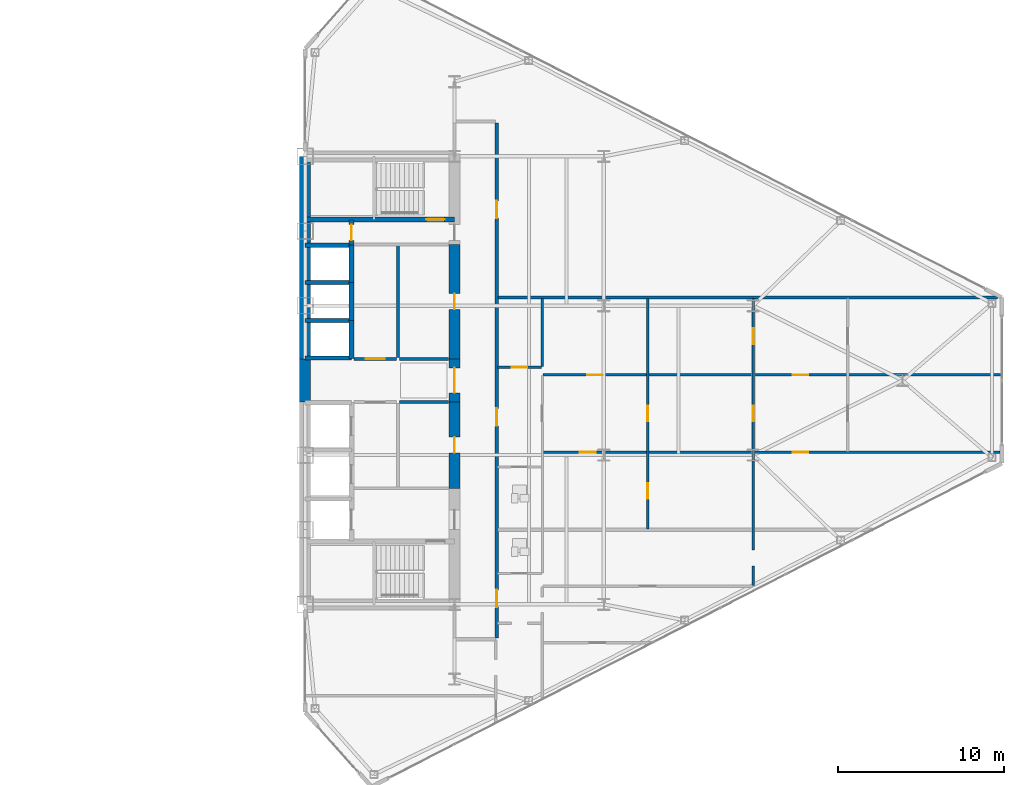
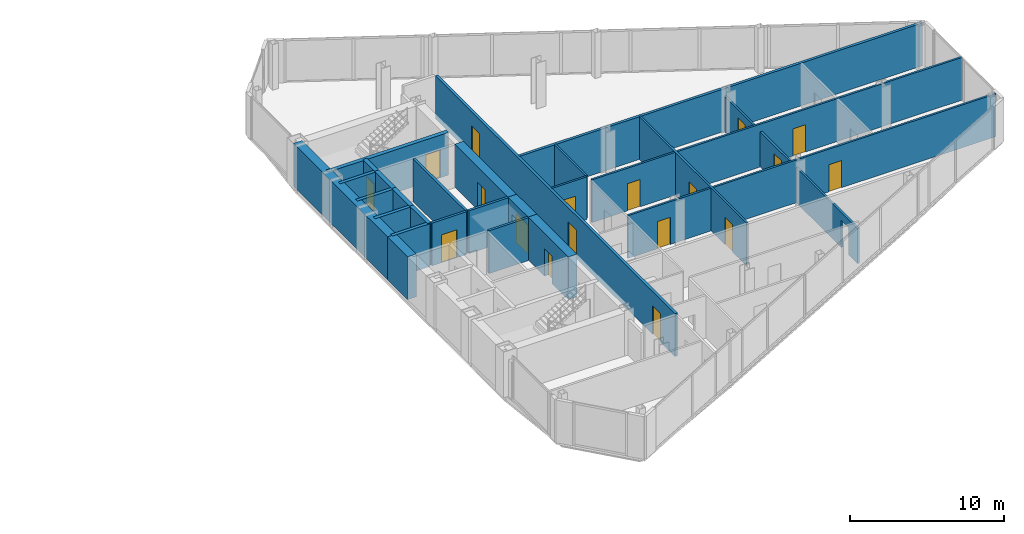
# One storey, part 19 of 23: 26 walls, 18 doors, 19 openings.
"""IFC4 building model written with IfcOpenShell, lengths in metres."""

from ifc_helpers import new_model, si_unit, direction, frame, frame_2d, origin, place, context, subcontext, project, spatial, rectangle, extrude, source, transform, mapped, material, layer, layer_set, type_object, type_shapes, element, fill, save


model = new_model("IFC4")

# Units and contexts
model_context = context("Model", 3, precision=1e-05, world=origin(), true_north=direction((0.0, 1.0)))
body_context = subcontext(model_context, "Body", "Model", "MODEL_VIEW")
ifc_project = project(units=[si_unit("LENGTHUNIT", "METRE"), si_unit("AREAUNIT", "SQUARE_METRE"), si_unit("VOLUMEUNIT", "CUBIC_METRE"), si_unit("PLANEANGLEUNIT", "RADIAN"), si_unit("MASSUNIT", "GRAM", prefix="KILO")], contexts=[model_context])

# Site, building, storey
site_placement = place(None, origin())
site = spatial("IfcSite", under=ifc_project, at=site_placement, CompositionType="ELEMENT")
building_placement = place(site_placement, origin())
building = spatial("IfcBuilding", under=site, at=building_placement, Name="Seokmaru Belvedere", CompositionType="ELEMENT")
storey_placement = place(building_placement, frame((0.0, 0.0, 128.39990234375)))
storey = spatial("IfcBuildingStorey", under=building, at=storey_placement, Name="L34", CompositionType="ELEMENT", Elevation=128.39990234375)

# Wall, openings, doors
ifc_material_1 = material(Name="Fire-Rated Gypsum Shaftwall")
ifc_layer_1 = layer(ifc_material_1, 0.14990234375)
ifc_layer_set_1 = layer_set([ifc_layer_1], Name="Fire-Rated Gypsum Shaftwall")
wall_type_1 = type_object("IfcWallType", Name="Apartment Fire-Acoustic Room Partition 150", PredefinedType="PARTITIONING", material=ifc_layer_set_1)
wall_1_placement = place(storey_placement, frame((41.85009765625, -4.330078125, 0.0), z_axis=(0.0, 0.0, 1.0), x_axis=(1.0, 0.0, 0.0)))
wall_1 = element("IfcWall", 1, at=wall_1_placement, inside=storey, type_object=wall_type_1, Name="L34 Interior Partition 012", PredefinedType="PARTITIONING", context=body_context, shape_type="SweptSolid", body=[
    extrude(rectangle(XDim=27.52490234375, YDim=0.14990234375, at=frame_2d((13.762451171875, 0.0))), origin(), (0.0, 0.0, 1.0), 3.380126953125),
])
opening_1_placement = place(wall_1_placement, frame((2.213623046875, 0.0, 0.0)))
opening_1 = element("IfcOpeningElement", 2, at=opening_1_placement, cuts=wall_1, Name="Opening D05", PredefinedType="OPENING", context=body_context, shape_type="SweptSolid", body=[
    extrude(rectangle(XDim=0.949951171875, YDim=2.14990234375, at=frame_2d((0.47509765625, 1.074951171875))), frame((0.0, 0.0849609375, 0.0), z_axis=(0.0, -1.0, 0.0), x_axis=(1.0, 0.0, 0.0)), (0.0, 0.0, 1.0), 0.169921875),
])
opening_2_placement = place(wall_1_placement, frame((15.02490234375, 0.0, 0.0)))
opening_2 = element("IfcOpeningElement", 3, at=opening_2_placement, cuts=wall_1, Name="Opening D05", PredefinedType="OPENING", context=body_context, shape_type="SweptSolid", body=[
    extrude(rectangle(XDim=0.949951171875, YDim=2.14990234375, at=frame_2d((0.47509765625, 1.074951171875))), frame((0.0, 0.0849609375, 0.0), z_axis=(0.0, -1.0, 0.0), x_axis=(1.0, 0.0, 0.0)), (0.0, 0.0, 1.0), 0.169921875),
])
ifc_material_2 = material(Name="Engineered White Oak Timber", Category="wood")
door_type_1 = type_object("IfcDoorType", Name="Apartment Interior Fire-Rated Oak Door 950x2150", OperationType="NOTDEFINED", PredefinedType="DOOR", material=ifc_material_2)
shared_shape_1 = source(origin(), body_context, "Body", "SweptSolid", [
    extrude(rectangle(XDim=0.949951171875, YDim=2.14990234375, at=frame_2d((0.47509765625, 1.074951171875))), frame((0.0, 0.02490234375, 0.0), z_axis=(0.0, -1.0, 0.0), x_axis=(1.0, 0.0, 0.0)), (0.0, 0.0, 1.0), 0.050048828125),
])
type_shapes(door_type_1, [shared_shape_1])
door_1_placement = place(opening_1_placement, origin())
door_1 = element("IfcDoor", 4, at=door_1_placement, inside=storey, type_object=door_type_1, Name="L34 Interior Door 028", OperationType="SINGLE_SWING_LEFT", OverallHeight=2.14990234375, OverallWidth=0.949951171875, PredefinedType="DOOR", context=body_context, shape_type="MappedRepresentation", body=[
    mapped(shared_shape_1, transform((0.0, 0.0, 0.0), scale=1.0)),
])
fill(opening_1, door_1)
door_2_placement = place(opening_2_placement, origin())
door_2 = element("IfcDoor", 5, at=door_2_placement, inside=storey, type_object=door_type_1, Name="L34 Interior Door 032", OperationType="SINGLE_SWING_RIGHT", OverallHeight=2.14990234375, OverallWidth=0.949951171875, PredefinedType="DOOR", context=body_context, shape_type="MappedRepresentation", body=[
    mapped(shared_shape_1, transform((0.0, 0.0, 0.0), scale=1.0)),
])
fill(opening_2, door_2)

wall_2_placement = place(storey_placement, frame((41.85009765625, 0.330078125, 0.0), z_axis=(0.0, 0.0, 1.0), x_axis=(1.0, 0.0, 0.0)))
wall_2 = element("IfcWall", 6, at=wall_2_placement, inside=storey, type_object=wall_type_1, Name="L34 Interior Partition 014", PredefinedType="PARTITIONING", context=body_context, shape_type="SweptSolid", body=[
    extrude(rectangle(XDim=27.684814453125, YDim=0.14990234375, at=frame_2d((13.84228515625, 0.0))), origin(), (0.0, 0.0, 1.0), 3.380126953125),
])
opening_3_placement = place(wall_2_placement, frame((2.64990234375, 0.0, 0.0)))
opening_3 = element("IfcOpeningElement", 7, at=opening_3_placement, cuts=wall_2, Name="Opening D05", PredefinedType="OPENING", context=body_context, shape_type="SweptSolid", body=[
    extrude(rectangle(XDim=0.949951171875, YDim=2.14990234375, at=frame_2d((0.47509765625, 1.074951171875))), frame((0.0, 0.0849609375, 0.0), z_axis=(0.0, -1.0, 0.0), x_axis=(1.0, 0.0, 0.0)), (0.0, 0.0, 1.0), 0.169921875),
])
opening_4_placement = place(wall_2_placement, frame((15.02490234375, 0.0, 0.0)))
opening_4 = element("IfcOpeningElement", 8, at=opening_4_placement, cuts=wall_2, Name="Opening D05", PredefinedType="OPENING", context=body_context, shape_type="SweptSolid", body=[
    extrude(rectangle(XDim=0.949951171875, YDim=2.14990234375, at=frame_2d((0.47509765625, 1.074951171875))), frame((0.0, 0.0849609375, 0.0), z_axis=(0.0, -1.0, 0.0), x_axis=(1.0, 0.0, 0.0)), (0.0, 0.0, 1.0), 0.169921875),
])
door_3_placement = place(opening_3_placement, origin())
door_3 = element("IfcDoor", 9, at=door_3_placement, inside=storey, type_object=door_type_1, Name="L34 Interior Door 030", OperationType="SINGLE_SWING_RIGHT", OverallHeight=2.14990234375, OverallWidth=0.949951171875, PredefinedType="DOOR", context=body_context, shape_type="MappedRepresentation", body=[
    mapped(shared_shape_1, transform((0.0, 0.0, 0.0), scale=1.0)),
])
fill(opening_3, door_3)
door_4_placement = place(opening_4_placement, origin())
door_4 = element("IfcDoor", 10, at=door_4_placement, inside=storey, type_object=door_type_1, Name="L34 Interior Door 034", OperationType="SINGLE_SWING_RIGHT", OverallHeight=2.14990234375, OverallWidth=0.949951171875, PredefinedType="DOOR", context=body_context, shape_type="MappedRepresentation", body=[
    mapped(shared_shape_1, transform((0.0, 0.0, 0.0), scale=1.0)),
])
fill(opening_4, door_4)

# Wall, opening, door
wall_3_placement = place(storey_placement, frame((39.10009765625, 0.800048828125, 0.0), z_axis=(0.0, 0.0, 1.0), x_axis=(1.0, 0.0, 0.0)))
wall_3 = element("IfcWall", 11, at=wall_3_placement, inside=storey, type_object=wall_type_1, Name="L34 Interior Partition 015", PredefinedType="PARTITIONING", context=body_context, shape_type="SweptSolid", body=[
    extrude(rectangle(XDim=2.64990234375, YDim=0.14990234375, at=frame_2d((1.324951171875, 0.0))), origin(), (0.0, 0.0, 1.0), 3.380126953125),
])
opening_5_placement = place(wall_3_placement, frame((0.85009765625, 0.0, 0.0)))
opening_5 = element("IfcOpeningElement", 12, at=opening_5_placement, cuts=wall_3, Name="Opening D05", PredefinedType="OPENING", context=body_context, shape_type="SweptSolid", body=[
    extrude(rectangle(XDim=0.949951171875, YDim=2.14990234375, at=frame_2d((0.47509765625, 1.074951171875))), frame((0.0, 0.0849609375, 0.0), z_axis=(0.0, -1.0, 0.0), x_axis=(1.0, 0.0, 0.0)), (0.0, 0.0, 1.0), 0.169921875),
])
door_5_placement = place(opening_5_placement, origin())
door_5 = element("IfcDoor", 13, at=door_5_placement, inside=storey, type_object=door_type_1, Name="L34 Interior Door 026", OperationType="SINGLE_SWING_RIGHT", OverallHeight=2.14990234375, OverallWidth=0.949951171875, PredefinedType="DOOR", context=body_context, shape_type="MappedRepresentation", body=[
    mapped(shared_shape_1, transform((0.0, 0.0, 0.0), scale=1.0)),
])
fill(opening_5, door_5)

# Wall
wall_4_placement = place(storey_placement, frame((41.800048828125, 0.85205078125, 0.0), z_axis=(0.0, 0.0, 1.0), x_axis=(0.0, 1.0, 0.0)))
element("IfcWall", 14, at=wall_4_placement, inside=storey, type_object=wall_type_1, Name="L34 Interior Partition 035", PredefinedType="PARTITIONING", context=body_context, shape_type="SweptSolid", body=[
    extrude(rectangle(XDim=4.097900390625, YDim=0.14990234375, at=frame_2d((2.048828125, 0.0))), origin(), (0.0, 0.0, 1.0), 3.380126953125),
])

# Wall, openings, doors
wall_5_placement = place(storey_placement, frame((48.14990234375, -8.949951171875, 0.0), z_axis=(0.0, 0.0, 1.0), x_axis=(0.0, 1.0, 0.0)))
wall_5 = element("IfcWall", 15, at=wall_5_placement, inside=storey, type_object=wall_type_1, Name="L34 Interior Partition 036", PredefinedType="PARTITIONING", context=body_context, shape_type="SweptSolid", body=[
    extrude(rectangle(XDim=13.89990234375, YDim=0.14990234375, at=frame_2d((6.949951171875, 0.0))), origin(), (0.0, 0.0, 1.0), 3.380126953125),
])
opening_6_placement = place(wall_5_placement, frame((6.47509765625, 0.0, 0.0)))
opening_6 = element("IfcOpeningElement", 16, at=opening_6_placement, cuts=wall_5, Name="Opening D05", PredefinedType="OPENING", context=body_context, shape_type="SweptSolid", body=[
    extrude(rectangle(XDim=0.949951171875, YDim=2.14990234375, at=frame_2d((0.47509765625, 1.074951171875))), frame((0.0, 0.0849609375, 0.0), z_axis=(0.0, -1.0, 0.0), x_axis=(1.0, 0.0, 0.0)), (0.0, 0.0, 1.0), 0.169921875),
])
opening_7_placement = place(wall_5_placement, frame((1.808349609375, 0.0, 0.0)))
opening_7 = element("IfcOpeningElement", 17, at=opening_7_placement, cuts=wall_5, Name="Opening D05", PredefinedType="OPENING", context=body_context, shape_type="SweptSolid", body=[
    extrude(rectangle(XDim=0.949951171875, YDim=2.14990234375, at=frame_2d((0.47509765625, 1.074951171875))), frame((0.0, 0.0849609375, 0.0), z_axis=(0.0, -1.0, 0.0), x_axis=(1.0, 0.0, 0.0)), (0.0, 0.0, 1.0), 0.169921875),
])
door_6_placement = place(opening_6_placement, origin())
door_6 = element("IfcDoor", 18, at=door_6_placement, inside=storey, type_object=door_type_1, Name="L34 Interior Door 029", OperationType="SINGLE_SWING_RIGHT", OverallHeight=2.14990234375, OverallWidth=0.949951171875, PredefinedType="DOOR", context=body_context, shape_type="MappedRepresentation", body=[
    mapped(shared_shape_1, transform((0.0, 0.0, 0.0), scale=1.0)),
])
fill(opening_6, door_6)
door_7_placement = place(opening_7_placement, origin())
door_7 = element("IfcDoor", 19, at=door_7_placement, inside=storey, type_object=door_type_1, Name="L34 Interior Door 036", OperationType="SINGLE_SWING_LEFT", OverallHeight=2.14990234375, OverallWidth=0.949951171875, PredefinedType="DOOR", context=body_context, shape_type="MappedRepresentation", body=[
    mapped(shared_shape_1, transform((0.0, 0.0, 0.0), scale=1.0)),
])
fill(opening_7, door_7)

wall_6_placement = place(storey_placement, frame((54.5, -12.35498046875, 0.0), z_axis=(0.0, 0.0, 1.0), x_axis=(0.0, 1.0, 0.0)))
wall_6 = element("IfcWall", 20, at=wall_6_placement, inside=storey, type_object=wall_type_1, Name="L34 Interior Partition 037", PredefinedType="PARTITIONING", context=body_context, shape_type="SweptSolid", body=[
    extrude(rectangle(XDim=17.304931640625, YDim=0.14990234375, at=frame_2d((8.65234375, 0.0))), origin(), (0.0, 0.0, 1.0), 2.780029296875),
])
opening_8_placement = place(wall_6_placement, frame((1.177490234375, 0.0, 0.0)))
element("IfcOpeningElement", 21, at=opening_8_placement, cuts=wall_6, Name="L34 Cased Opening 023", PredefinedType="OPENING", context=body_context, shape_type="SweptSolid", body=[
    extrude(rectangle(XDim=0.949951171875, YDim=2.14990234375, at=frame_2d((0.47509765625, 1.074951171875))), frame((0.0, 0.0849609375, 0.0), z_axis=(0.0, -1.0, 0.0), x_axis=(1.0, 0.0, 0.0)), (0.0, 0.0, 1.0), 0.169921875),
])
opening_9_placement = place(wall_6_placement, frame((9.8798828125, 0.0, 0.0)))
opening_9 = element("IfcOpeningElement", 22, at=opening_9_placement, cuts=wall_6, Name="Opening D05", PredefinedType="OPENING", context=body_context, shape_type="SweptSolid", body=[
    extrude(rectangle(XDim=0.949951171875, YDim=2.14990234375, at=frame_2d((0.47509765625, 1.074951171875))), frame((0.0, 0.0849609375, 0.0), z_axis=(0.0, -1.0, 0.0), x_axis=(1.0, 0.0, 0.0)), (0.0, 0.0, 1.0), 0.169921875),
])
opening_10_placement = place(wall_6_placement, frame((14.546630859375, 0.0, 0.0)))
opening_10 = element("IfcOpeningElement", 23, at=opening_10_placement, cuts=wall_6, Name="Opening D05", PredefinedType="OPENING", context=body_context, shape_type="SweptSolid", body=[
    extrude(rectangle(XDim=0.949951171875, YDim=2.14990234375, at=frame_2d((0.47509765625, 1.074951171875))), frame((0.0, 0.0849609375, 0.0), z_axis=(0.0, -1.0, 0.0), x_axis=(1.0, 0.0, 0.0)), (0.0, 0.0, 1.0), 0.169921875),
])
door_8_placement = place(opening_9_placement, origin())
door_8 = element("IfcDoor", 24, at=door_8_placement, inside=storey, type_object=door_type_1, Name="L34 Interior Door 031", OperationType="SINGLE_SWING_LEFT", OverallHeight=2.14990234375, OverallWidth=0.949951171875, PredefinedType="DOOR", context=body_context, shape_type="MappedRepresentation", body=[
    mapped(shared_shape_1, transform((0.0, 0.0, 0.0), scale=1.0)),
])
fill(opening_9, door_8)
door_9_placement = place(opening_10_placement, origin())
door_9 = element("IfcDoor", 25, at=door_9_placement, inside=storey, type_object=door_type_1, Name="L34 Interior Door 037", OperationType="SINGLE_SWING_RIGHT", OverallHeight=2.14990234375, OverallWidth=0.949951171875, PredefinedType="DOOR", context=body_context, shape_type="MappedRepresentation", body=[
    mapped(shared_shape_1, transform((0.0, 0.0, 0.0), scale=1.0)),
])
fill(opening_10, door_9)

# Wall
ifc_layer_2 = layer(ifc_material_1, 0.179931640625)
ifc_layer_set_2 = layer_set([ifc_layer_2], Name="Fire-Rated Gypsum Shaftwall")
wall_type_2 = type_object("IfcWallType", Name="Core Service Fire Partition 180", PredefinedType="PARTITIONING", material=ifc_layer_set_2)
wall_7_placement = place(storey_placement, frame((33.10009765625, 1.3798828125, 0.0), z_axis=(0.0, 0.0, 1.0), x_axis=(0.0, 1.0, 0.0)))
element("IfcWall", 26, at=wall_7_placement, inside=storey, type_object=wall_type_2, Name="L34 East North Core Service Back Wall", PredefinedType="PARTITIONING", context=body_context, shape_type="SweptSolid", body=[
    extrude(rectangle(XDim=6.740234375, YDim=0.179931640625, at=frame_2d((3.3701171875, 0.0))), origin(), (0.0, 0.0, 1.0), 3.380126953125),
])

# Wall, opening, door
wall_8_placement = place(storey_placement, frame((30.449951171875, 1.300048828125, 0.0), z_axis=(0.0, 0.0, 1.0), x_axis=(1.0, 0.0, 0.0)))
wall_8 = element("IfcWall", 27, at=wall_8_placement, inside=storey, type_object=wall_type_2, Name="L34 East North Lift Lobby Foyer Wall", PredefinedType="PARTITIONING", context=body_context, shape_type="SweptSolid", body=[
    extrude(rectangle(XDim=2.570068359375, YDim=0.179931640625, at=frame_2d((1.28515625, 0.0))), origin(), (0.0, 0.0, 1.0), 3.380126953125),
])
opening_11_placement = place(wall_8_placement, frame((0.7099609375, 0.0, 0.0)))
opening_11 = element("IfcOpeningElement", 28, at=opening_11_placement, cuts=wall_8, Name="Opening D02", PredefinedType="OPENING", context=body_context, shape_type="SweptSolid", body=[
    extrude(rectangle(XDim=1.14990234375, YDim=2.199951171875, at=frame_2d((0.574951171875, 1.10009765625))), frame((0.0, 0.10009765625, 0.0), z_axis=(0.0, -1.0, 0.0), x_axis=(1.0, 0.0, 0.0)), (0.0, 0.0, 1.0), 0.199951171875),
])
ifc_material_3 = material(Name="Fire-Rated Steel Leaf", Category="steel")
door_type_2 = type_object("IfcDoorType", Name="Lobby and Vestibule Fire Door 1150x2200", OperationType="NOTDEFINED", PredefinedType="DOOR", material=ifc_material_3)
shared_shape_2 = source(origin(), body_context, "Body", "SweptSolid", [
    extrude(rectangle(XDim=1.14990234375, YDim=2.199951171875, at=frame_2d((0.574951171875, 1.10009765625))), frame((0.0, 0.02490234375, 0.0), z_axis=(0.0, -1.0, 0.0), x_axis=(1.0, 0.0, 0.0)), (0.0, 0.0, 1.0), 0.050048828125),
])
type_shapes(door_type_2, [shared_shape_2])
door_10_placement = place(opening_11_placement, origin())
door_10 = element("IfcDoor", 29, at=door_10_placement, inside=storey, type_object=door_type_2, Name="L34 East North Lift Lobby Door", OperationType="SINGLE_SWING_LEFT", OverallHeight=2.199951171875, OverallWidth=1.14990234375, PredefinedType="DOOR", context=body_context, shape_type="MappedRepresentation", body=[
    mapped(shared_shape_2, transform((0.0, 0.0, 0.0), scale=1.0)),
])
fill(opening_11, door_10)

# Walls
for number, where, z_axis, x_axis, name in (
    (30, (33.199951171875, -1.300048828125, 0.0), (0.0, 0.0, 1.0), (1.0, 0.0, 0.0), "L34 East Foyer Side Wall S"),
    (31, (33.199951171875, 1.300048828125, 0.0), (0.0, 0.0, 1.0), (1.0, 0.0, 0.0), "L34 East Foyer Side Wall N"),
):
    element("IfcWall", number, at=place(storey_placement, frame(where, z_axis=z_axis, x_axis=x_axis)), inside=storey, type_object=wall_type_2, Name=name, PredefinedType="PARTITIONING", context=body_context, shape_type="SweptSolid", body=[
        extrude(rectangle(XDim=2.949951171875, YDim=0.179931640625, at=frame_2d((1.47509765625, 0.0))), origin(), (0.0, 0.0, 1.0), 3.380126953125),
    ])
ifc_material_4 = material(Name="Concrete C50 (50 MPa)", Category="concrete")
ifc_layer_3 = layer(ifc_material_4, 0.25)
ifc_layer_set_3 = layer_set([ifc_layer_3], Name="Concrete C50 (50 MPa)")
wall_type_3 = type_object("IfcWallType", Name="Hoistway Transverse Concrete Divider Wall 250", PredefinedType="SHEAR", material=ifc_layer_set_3)
for number, where, z_axis, x_axis, name in (
    (32, (27.5, 1.35009765625, 0.0), (0.0, 0.0, 1.0), (1.0, 0.0, 0.0), "L34 East Hoistway Divider Core Wall 4"),
    (33, (27.5, 3.60009765625, 0.0), (0.0, 0.0, 1.0), (1.0, 0.0, 0.0), "L34 East Hoistway Divider Core Wall 5"),
    (34, (27.5, 5.89990234375, 0.0), (0.0, 0.0, 1.0), (1.0, 0.0, 0.0), "L34 East Hoistway Divider Core Wall 6"),
    (35, (27.5, 8.14990234375, 0.0), (0.0, 0.0, 1.0), (1.0, 0.0, 0.0), "L34 East Hoistway Divider Core Wall 7"),
):
    element("IfcWall", number, at=place(storey_placement, frame(where, z_axis=z_axis, x_axis=x_axis)), inside=storey, type_object=wall_type_3, Name=name, PredefinedType="SHEAR", context=body_context, shape_type="SweptSolid", body=[
        extrude(rectangle(XDim=2.800048828125, YDim=0.25, at=frame_2d((1.39990234375, 0.0))), origin(), (0.0, 0.0, 1.0), 3.380126953125),
    ])
ifc_layer_4 = layer(ifc_material_1, 0.199951171875)
ifc_layer_set_4 = layer_set([ifc_layer_4], Name="Fire-Rated Gypsum Shaftwall")
wall_type_4 = type_object("IfcWallType", Name="Inter-Tenancy Fire Compartment Partition 200", PredefinedType="PARTITIONING", material=ifc_layer_set_4)
wall_9_placement = place(storey_placement, frame((39.1298828125, 5.0, 0.0), z_axis=(0.0, 0.0, 1.0), x_axis=(1.0, 0.0, 0.0)))
element("IfcWall", 36, at=wall_9_placement, inside=storey, type_object=wall_type_4, Name="L34 Interior Partition 018", PredefinedType="PARTITIONING", context=body_context, shape_type="SweptSolid", body=[
    extrude(rectangle(XDim=30.096435546875, YDim=0.199951171875, at=frame_2d((15.04833984375, 0.0))), origin(), (0.0, 0.0, 1.0), 3.380126953125),
])

# Wall, openings, doors
wall_10_placement = place(storey_placement, frame((39.050048828125, -15.514892578125, 0.0), z_axis=(0.0, 0.0, 1.0), x_axis=(0.0, 1.0, 0.0)))
wall_10 = element("IfcWall", 37, at=wall_10_placement, inside=storey, type_object=wall_type_4, Name="L34 Interior Partition 032", PredefinedType="PARTITIONING", context=body_context, shape_type="SweptSolid", body=[
    extrude(rectangle(XDim=31.02978515625, YDim=0.199951171875, at=frame_2d((15.514892578125, 0.0))), origin(), (0.0, 0.0, 1.0), 3.380126953125),
])
opening_12_placement = place(wall_10_placement, frame((1.844970703125, 0.0, 0.0)))
opening_12 = element("IfcOpeningElement", 38, at=opening_12_placement, cuts=wall_10, Name="Opening D03", PredefinedType="OPENING", context=body_context, shape_type="SweptSolid", body=[
    extrude(rectangle(XDim=1.050048828125, YDim=2.25, at=frame_2d((0.52490234375, 1.125))), frame((0.0, 0.10986328125, 0.0), z_axis=(0.0, -1.0, 0.0), x_axis=(1.0, 0.0, 0.0)), (0.0, 0.0, 1.0), 0.219970703125),
])
opening_13_placement = place(wall_10_placement, frame((12.780029296875, 0.0, 0.0)))
opening_13 = element("IfcOpeningElement", 39, at=opening_13_placement, cuts=wall_10, Name="Opening D03", PredefinedType="OPENING", context=body_context, shape_type="SweptSolid", body=[
    extrude(rectangle(XDim=1.050048828125, YDim=2.25, at=frame_2d((0.52490234375, 1.125))), frame((0.0, 0.10986328125, 0.0), z_axis=(0.0, -1.0, 0.0), x_axis=(1.0, 0.0, 0.0)), (0.0, 0.0, 1.0), 0.219970703125),
])
opening_14_placement = place(wall_10_placement, frame((25.2900390625, 0.0, 0.0)))
opening_14 = element("IfcOpeningElement", 40, at=opening_14_placement, cuts=wall_10, Name="Opening D03", PredefinedType="OPENING", context=body_context, shape_type="SweptSolid", body=[
    extrude(rectangle(XDim=1.050048828125, YDim=2.25, at=frame_2d((0.52490234375, 1.125))), frame((0.0, 0.10986328125, 0.0), z_axis=(0.0, -1.0, 0.0), x_axis=(1.0, 0.0, 0.0)), (0.0, 0.0, 1.0), 0.219970703125),
])
door_type_3 = type_object("IfcDoorType", Name="Apartment Entrance Fire Door 1050x2250", OperationType="NOTDEFINED", PredefinedType="DOOR", material=ifc_material_3)
shared_shape_3 = source(origin(), body_context, "Body", "SweptSolid", [
    extrude(rectangle(XDim=1.050048828125, YDim=2.25, at=frame_2d((0.52490234375, 1.125))), frame((0.0, 0.02490234375, 0.0), z_axis=(0.0, -1.0, 0.0), x_axis=(1.0, 0.0, 0.0)), (0.0, 0.0, 1.0), 0.050048828125),
])
type_shapes(door_type_3, [shared_shape_3])
door_11_placement = place(opening_12_placement, origin())
door_11 = element("IfcDoor", 41, at=door_11_placement, inside=storey, type_object=door_type_3, Name="L34 Interior Door 015", OperationType="SINGLE_SWING_LEFT", OverallHeight=2.25, OverallWidth=1.050048828125, PredefinedType="DOOR", context=body_context, shape_type="MappedRepresentation", body=[
    mapped(shared_shape_3, transform((0.0, 0.0, 0.0), scale=1.0)),
])
fill(opening_12, door_11)
door_12_placement = place(opening_13_placement, origin())
door_12 = element("IfcDoor", 42, at=door_12_placement, inside=storey, type_object=door_type_3, Name="L34 Interior Door 024", OperationType="SINGLE_SWING_RIGHT", OverallHeight=2.25, OverallWidth=1.050048828125, PredefinedType="DOOR", context=body_context, shape_type="MappedRepresentation", body=[
    mapped(shared_shape_3, transform((0.0, 0.0, 0.0), scale=1.0)),
])
fill(opening_13, door_12)
door_13_placement = place(opening_14_placement, origin())
door_13 = element("IfcDoor", 43, at=door_13_placement, inside=storey, type_object=door_type_3, Name="L34 Interior Door 038", OperationType="SINGLE_SWING_LEFT", OverallHeight=2.25, OverallWidth=1.050048828125, PredefinedType="DOOR", context=body_context, shape_type="MappedRepresentation", body=[
    mapped(shared_shape_3, transform((0.0, 0.0, 0.0), scale=1.0)),
])
fill(opening_14, door_13)

# Wall, opening, door
ifc_layer_5 = layer(ifc_material_4, 0.300048828125)
ifc_layer_set_5 = layer_set([ifc_layer_5], Name="Concrete C50 (50 MPa)")
wall_type_5 = type_object("IfcWallType", Name="Internal Core Stair and Hoistway Wall 300", PredefinedType="SHEAR", material=ifc_layer_set_5)
wall_11_placement = place(storey_placement, frame((27.5, 9.699951171875, 0.0), z_axis=(0.0, 0.0, 1.0), x_axis=(1.0, 0.0, 0.0)))
wall_11 = element("IfcWall", 44, at=wall_11_placement, inside=storey, type_object=wall_type_5, Name="L34 East Stair ST-2 Enclosure Wall", PredefinedType="SHEAR", context=body_context, shape_type="SweptSolid", body=[
    extrude(rectangle(XDim=9.0, YDim=0.300048828125, at=frame_2d((4.5, 0.0))), origin(), (0.0, 0.0, 1.0), 3.380126953125),
])
opening_15_placement = place(wall_11_placement, frame((7.300048828125, 0.0, 0.0)))
opening_15 = element("IfcOpeningElement", 45, at=opening_15_placement, cuts=wall_11, Name="Opening D01", PredefinedType="OPENING", context=body_context, shape_type="SweptSolid", body=[
    extrude(rectangle(XDim=1.10009765625, YDim=2.199951171875, at=frame_2d((0.550048828125, 1.10009765625))), frame((0.0, 0.16015625, 0.0), z_axis=(0.0, -1.0, 0.0), x_axis=(1.0, 0.0, 0.0)), (0.0, 0.0, 1.0), 0.320068359375),
])
door_type_4 = type_object("IfcDoorType", Name="Special Escape Stair Smokeproof Fire Door 1100x2200", OperationType="NOTDEFINED", PredefinedType="DOOR", material=ifc_material_3)
shared_shape_4 = source(origin(), body_context, "Body", "SweptSolid", [
    extrude(rectangle(XDim=1.10009765625, YDim=2.199951171875, at=frame_2d((0.550048828125, 1.10009765625))), frame((0.0, 0.02490234375, 0.0), z_axis=(0.0, -1.0, 0.0), x_axis=(1.0, 0.0, 0.0)), (0.0, 0.0, 1.0), 0.050048828125),
])
type_shapes(door_type_4, [shared_shape_4])
door_14_placement = place(opening_15_placement, origin())
door_14 = element("IfcDoor", 46, at=door_14_placement, inside=storey, type_object=door_type_4, Name="L34 East Special Escape Stair ST-2 Door", OperationType="SINGLE_SWING_LEFT", OverallHeight=2.199951171875, OverallWidth=1.10009765625, PredefinedType="DOOR", context=body_context, shape_type="MappedRepresentation", body=[
    mapped(shared_shape_4, transform((0.0, 0.0, 0.0), scale=1.0)),
])
fill(opening_15, door_14)

# Walls
wall_12_placement = place(storey_placement, frame((30.300048828125, 1.320068359375, 0.0), z_axis=(0.0, 0.0, 1.0), x_axis=(0.0, 1.0, 0.0)))
element("IfcWall", 47, at=wall_12_placement, inside=storey, type_object=wall_type_5, Name="L34 East North Hoistway Wall PH1", PredefinedType="SHEAR", context=body_context, shape_type="SweptSolid", body=[
    extrude(rectangle(XDim=2.280029296875, YDim=0.300048828125, at=frame_2d((1.14013671875, 0.0))), origin(), (0.0, 0.0, 1.0), 3.380126953125),
])
wall_13_placement = place(storey_placement, frame((30.300048828125, 3.60009765625, 0.0), z_axis=(0.0, 0.0, 1.0), x_axis=(0.0, 1.0, 0.0)))
element("IfcWall", 48, at=wall_13_placement, inside=storey, type_object=wall_type_5, Name="L34 East North Hoistway Wall PH2", PredefinedType="SHEAR", context=body_context, shape_type="SweptSolid", body=[
    extrude(rectangle(XDim=2.2998046875, YDim=0.300048828125, at=frame_2d((1.14990234375, 0.0))), origin(), (0.0, 0.0, 1.0), 3.380126953125),
])
wall_14_placement = place(storey_placement, frame((30.300048828125, 5.89990234375, 0.0), z_axis=(0.0, 0.0, 1.0), x_axis=(0.0, 1.0, 0.0)))
element("IfcWall", 49, at=wall_14_placement, inside=storey, type_object=wall_type_5, Name="L34 East North Hoistway Wall OBS", PredefinedType="SHEAR", context=body_context, shape_type="SweptSolid", body=[
    extrude(rectangle(XDim=2.25, YDim=0.300048828125, at=frame_2d((1.125, 0.0))), origin(), (0.0, 0.0, 1.0), 3.380126953125),
])

# Wall, opening, door
wall_15_placement = place(storey_placement, frame((30.300048828125, 8.14990234375, 0.0), z_axis=(0.0, 0.0, 1.0), x_axis=(0.0, 1.0, 0.0)))
wall_15 = element("IfcWall", 50, at=wall_15_placement, inside=storey, type_object=wall_type_5, Name="L34 East Electrical Riser Front Wall", PredefinedType="SHEAR", context=body_context, shape_type="SweptSolid", body=[
    extrude(rectangle(XDim=1.530029296875, YDim=0.300048828125, at=frame_2d((0.76513671875, 0.0))), origin(), (0.0, 0.0, 1.0), 3.380126953125),
])
opening_16_placement = place(wall_15_placement, frame((0.284912109375, 0.0, 0.0)))
opening_16 = element("IfcOpeningElement", 51, at=opening_16_placement, cuts=wall_15, Name="Opening D04", PredefinedType="OPENING", context=body_context, shape_type="SweptSolid", body=[
    extrude(rectangle(XDim=0.949951171875, YDim=2.14990234375, at=frame_2d((0.47509765625, 1.074951171875))), frame((0.0, 0.16015625, 0.0), z_axis=(0.0, -1.0, 0.0), x_axis=(1.0, 0.0, 0.0)), (0.0, 0.0, 1.0), 0.320068359375),
])
door_type_5 = type_object("IfcDoorType", Name="Core Service Room Fire Door 950x2150", OperationType="NOTDEFINED", PredefinedType="DOOR", material=ifc_material_3)
shared_shape_5 = source(origin(), body_context, "Body", "SweptSolid", [
    extrude(rectangle(XDim=0.949951171875, YDim=2.14990234375, at=frame_2d((0.47509765625, 1.074951171875))), frame((0.0, 0.02490234375, 0.0), z_axis=(0.0, -1.0, 0.0), x_axis=(1.0, 0.0, 0.0)), (0.0, 0.0, 1.0), 0.050048828125),
])
type_shapes(door_type_5, [shared_shape_5])
door_15_placement = place(opening_16_placement, origin())
door_15 = element("IfcDoor", 52, at=door_15_placement, inside=storey, type_object=door_type_5, Name="L34 East Electrical Riser Access Door", OperationType="SINGLE_SWING_RIGHT", OverallHeight=2.14990234375, OverallWidth=0.949951171875, PredefinedType="DOOR", context=body_context, shape_type="MappedRepresentation", body=[
    mapped(shared_shape_5, transform((0.0, 0.0, 0.0), scale=1.0)),
])
fill(opening_16, door_15)

# Walls
ifc_material_5 = material(Name="Concrete C60 (60 MPa)", Category="concrete")
ifc_layer_6 = layer(ifc_material_5, 0.64990234375)
ifc_layer_set_6 = layer_set([ifc_layer_6], Name="Concrete C60 (60 MPa)")
wall_type_6 = type_object("IfcWallType", Name="Mid-Low Reinforced Concrete Core Wall 650", PredefinedType="SHEAR", material=ifc_layer_set_6)
wall_16_placement = place(storey_placement, frame((27.5, 1.300048828125, 0.0), z_axis=(0.0, 0.0, 1.0), x_axis=(0.0, 1.0, 0.0)))
element("IfcWall", 53, at=wall_16_placement, inside=storey, type_object=wall_type_6, Name="L34 East Portal Spine Core Wall North", PredefinedType="SHEAR", context=body_context, shape_type="SweptSolid", body=[
    extrude(rectangle(XDim=12.199951171875, YDim=0.64990234375, at=frame_2d((6.10009765625, 0.0))), origin(), (0.0, 0.0, 1.0), 3.380126953125),
])
wall_17_placement = place(storey_placement, frame((27.5, -1.300048828125, 0.0), z_axis=(0.0, 0.0, 1.0), x_axis=(0.0, 1.0, 0.0)))
element("IfcWall", 54, at=wall_17_placement, inside=storey, type_object=wall_type_6, Name="L34 East Portal Spine Core Wall Center", PredefinedType="SHEAR", context=body_context, shape_type="SweptSolid", body=[
    extrude(rectangle(XDim=2.60009765625, YDim=0.64990234375, at=frame_2d((1.300048828125, 0.0))), origin(), (0.0, 0.0, 1.0), 3.380126953125),
])

# Wall, opening, door
wall_18_placement = place(storey_placement, frame((36.5, -1.300048828125, 0.0), z_axis=(0.0, 0.0, 1.0), x_axis=(0.0, 1.0, 0.0)))
wall_18 = element("IfcWall", 55, at=wall_18_placement, inside=storey, type_object=wall_type_6, Name="L34 East West Core Wall FOY", PredefinedType="SHEAR", context=body_context, shape_type="SweptSolid", body=[
    extrude(rectangle(XDim=2.60009765625, YDim=0.64990234375, at=frame_2d((1.300048828125, 0.0))), origin(), (0.0, 0.0, 1.0), 3.380126953125),
])
opening_17_placement = place(wall_18_placement, frame((0.550048828125, 0.0, 0.0)))
opening_17 = element("IfcOpeningElement", 56, at=opening_17_placement, cuts=wall_18, Name="Opening D08", PredefinedType="OPENING", context=body_context, shape_type="SweptSolid", body=[
    extrude(rectangle(XDim=1.5, YDim=2.300048828125, at=frame_2d((0.75, 1.14990234375))), frame((0.0, 0.3349609375, 0.0), z_axis=(0.0, -1.0, 0.0), x_axis=(1.0, 0.0, 0.0)), (0.0, 0.0, 1.0), 0.669921875),
])
door_type_6 = type_object("IfcDoorType", Name="Cross-Corridor Compartment Double Fire Door 1500x2300", OperationType="DOUBLE_SWING_LEFT", PredefinedType="DOOR", material=ifc_material_3)
shared_shape_6 = source(origin(), body_context, "Body", "SweptSolid", [
    extrude(rectangle(XDim=1.5, YDim=2.300048828125, at=frame_2d((0.75, 1.14990234375))), frame((0.0, 0.02490234375, 0.0), z_axis=(0.0, -1.0, 0.0), x_axis=(1.0, 0.0, 0.0)), (0.0, 0.0, 1.0), 0.050048828125),
])
type_shapes(door_type_6, [shared_shape_6])
door_16_placement = place(opening_17_placement, origin())
door_16 = element("IfcDoor", 57, at=door_16_placement, inside=storey, type_object=door_type_6, Name="L34 East Core Foyer Compartment Door", OperationType="DOUBLE_SWING_LEFT", OverallHeight=2.300048828125, OverallWidth=1.5, PredefinedType="DOOR", context=body_context, shape_type="MappedRepresentation", body=[
    mapped(shared_shape_6, transform((0.0, 0.0, 0.0), scale=1.0)),
])
fill(opening_17, door_16)

wall_19_placement = place(storey_placement, frame((36.5, -6.5, 0.0), z_axis=(0.0, 0.0, 1.0), x_axis=(0.0, 1.0, 0.0)))
wall_19 = element("IfcWall", 58, at=wall_19_placement, inside=storey, type_object=wall_type_6, Name="L34 East West Core Wall CS1", PredefinedType="SHEAR", context=body_context, shape_type="SweptSolid", body=[
    extrude(rectangle(XDim=5.199951171875, YDim=0.64990234375, at=frame_2d((2.60009765625, 0.0))), origin(), (0.0, 0.0, 1.0), 3.380126953125),
])
opening_18_placement = place(wall_19_placement, frame((2.125, 0.0, 0.0)))
opening_18 = element("IfcOpeningElement", 59, at=opening_18_placement, cuts=wall_19, Name="Opening D04", PredefinedType="OPENING", context=body_context, shape_type="SweptSolid", body=[
    extrude(rectangle(XDim=0.949951171875, YDim=2.14990234375, at=frame_2d((0.47509765625, 1.074951171875))), frame((0.0, 0.3349609375, 0.0), z_axis=(0.0, -1.0, 0.0), x_axis=(1.0, 0.0, 0.0)), (0.0, 0.0, 1.0), 0.669921875),
])
door_17_placement = place(opening_18_placement, origin())
door_17 = element("IfcDoor", 60, at=door_17_placement, inside=storey, type_object=door_type_5, Name="L34 East Core Service Room Door 1", OperationType="SINGLE_SWING_RIGHT", OverallHeight=2.14990234375, OverallWidth=0.949951171875, PredefinedType="DOOR", context=body_context, shape_type="MappedRepresentation", body=[
    mapped(shared_shape_5, transform((0.0, 0.0, 0.0), scale=1.0)),
])
fill(opening_18, door_17)

wall_20_placement = place(storey_placement, frame((36.5, 1.300048828125, 0.0), z_axis=(0.0, 0.0, 1.0), x_axis=(0.0, 1.0, 0.0)))
wall_20 = element("IfcWall", 61, at=wall_20_placement, inside=storey, type_object=wall_type_6, Name="L34 East West Core Wall CS2", PredefinedType="SHEAR", context=body_context, shape_type="SweptSolid", body=[
    extrude(rectangle(XDim=6.89990234375, YDim=0.64990234375, at=frame_2d((3.449951171875, 0.0))), origin(), (0.0, 0.0, 1.0), 3.380126953125),
])
opening_19_placement = place(wall_20_placement, frame((2.97509765625, 0.0, 0.0)))
opening_19 = element("IfcOpeningElement", 62, at=opening_19_placement, cuts=wall_20, Name="Opening D04", PredefinedType="OPENING", context=body_context, shape_type="SweptSolid", body=[
    extrude(rectangle(XDim=0.949951171875, YDim=2.14990234375, at=frame_2d((0.47509765625, 1.074951171875))), frame((0.0, 0.3349609375, 0.0), z_axis=(0.0, -1.0, 0.0), x_axis=(1.0, 0.0, 0.0)), (0.0, 0.0, 1.0), 0.669921875),
])
door_18_placement = place(opening_19_placement, origin())
door_18 = element("IfcDoor", 63, at=door_18_placement, inside=storey, type_object=door_type_5, Name="L34 East Core Service Room Door 2", OperationType="SINGLE_SWING_LEFT", OverallHeight=2.14990234375, OverallWidth=0.949951171875, PredefinedType="DOOR", context=body_context, shape_type="MappedRepresentation", body=[
    mapped(shared_shape_5, transform((0.0, 0.0, 0.0), scale=1.0)),
])
fill(opening_19, door_18)

save(model, "model.ifc")
